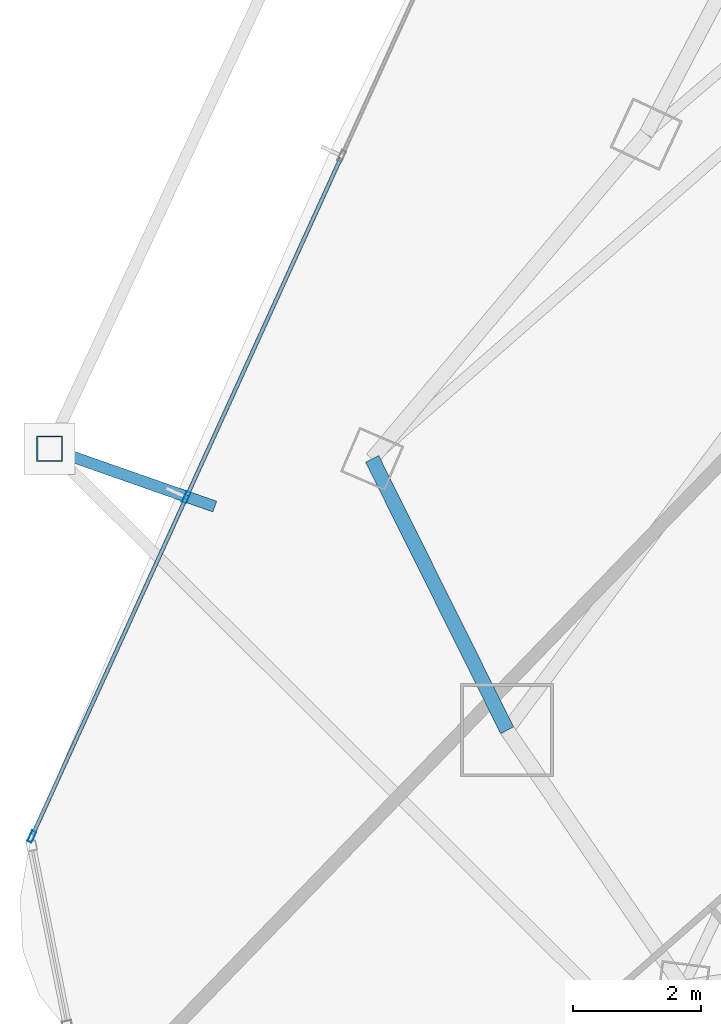
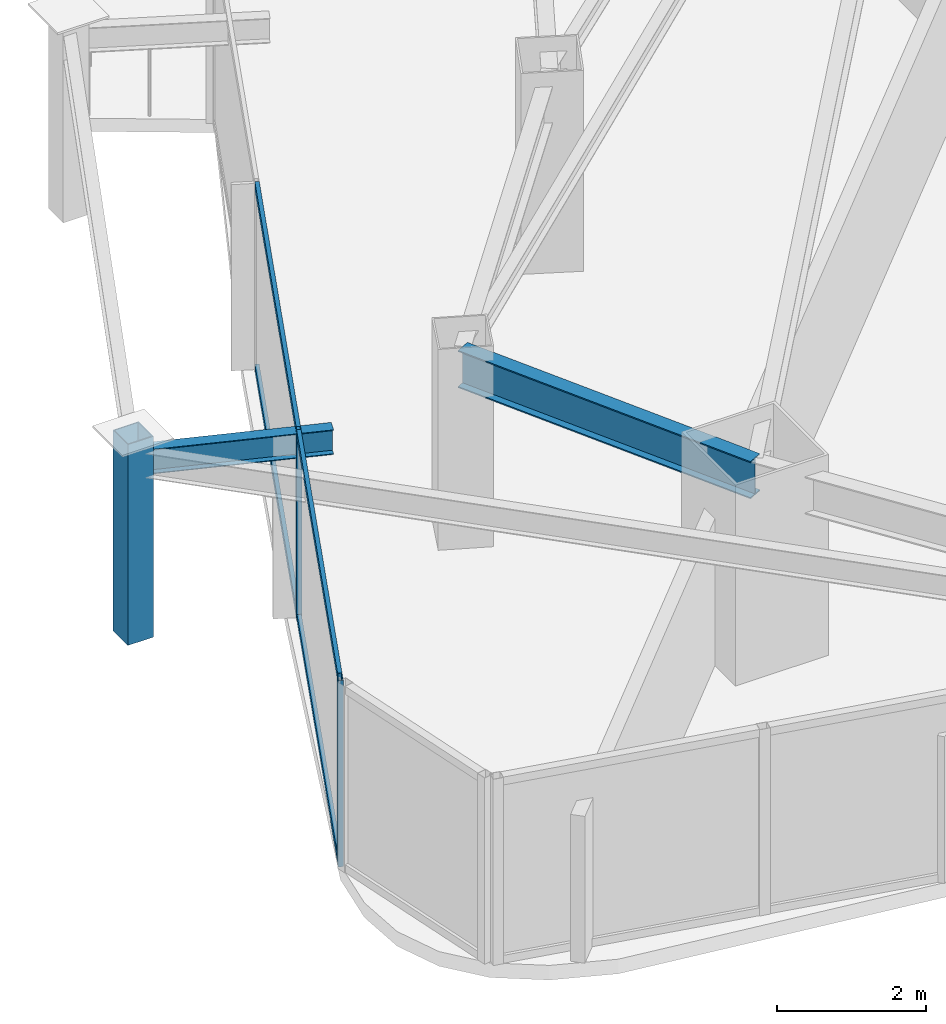
# One storey, part 5 of 31: 7 members, 2 beams, 1 element without a shape of its own.
"""IFC4 building model written with IfcOpenShell, lengths in metres."""

from ifc_helpers import new_model, si_unit, direction, frame, origin, origin_2d, place, context, subcontext, project, spatial, hollow_rectangle, i_section, extrude, material, layer, layer_set, material_profile, profile_set, type_object, element, aggregate, save


model = new_model("IFC4")

# Units and contexts
model_context = context("Model", 3, precision=1e-05, world=origin(), true_north=direction((0.0, 1.0)))
body_context = subcontext(model_context, "Body", "Model", "MODEL_VIEW")
ifc_project = project(units=[si_unit("LENGTHUNIT", "METRE"), si_unit("AREAUNIT", "SQUARE_METRE"), si_unit("VOLUMEUNIT", "CUBIC_METRE"), si_unit("PLANEANGLEUNIT", "RADIAN"), si_unit("MASSUNIT", "GRAM", prefix="KILO")], contexts=[model_context])

# Site, building, storey
site_placement = place(None, origin())
site = spatial("IfcSite", under=ifc_project, at=site_placement, CompositionType="ELEMENT")
building_placement = place(site_placement, origin())
building = spatial("IfcBuilding", under=site, at=building_placement, Name="Orvanel Arch Residences", CompositionType="ELEMENT")
storey_placement = place(building_placement, frame((0.0, 0.0, 113.300048828125)))
storey = spatial("IfcBuildingStorey", under=building, at=storey_placement, Name="L31", CompositionType="ELEMENT", Elevation=113.300048828125)

# Curtain wall, members
ifc_material_1 = material(Name="Bronze-anodised aluminium AA6063-T6", Category="aluminium")
ifc_layer = layer(ifc_material_1, 0.179931640625)
ifc_layer_set = layer_set([ifc_layer], Name="Bronze-anodised aluminium AA6063-T6")
curtain_wall_type = type_object("IfcCurtainWallType", Name="CW3-MID-SYS", PredefinedType="NOTDEFINED", material=ifc_layer_set)
curtain_wall_placement = place(storey_placement, origin())
curtain_wall = element("IfcCurtainWall", 1, at=curtain_wall_placement, inside=storey, type_object=curtain_wall_type, Name="L31 CW3-MID-SYS Unitised Curtain Wall", PredefinedType="NOTDEFINED")
ifc_material_profile_1 = material_profile(ifc_material_1, hollow_rectangle(XDim=0.070068359375, YDim=0.179931640625, WallThickness=0.00439453125, at=origin_2d()), Name="ALU180x70x4.5")
ifc_profile_set_1 = profile_set([ifc_material_profile_1], Name="Bronze-anodised aluminium AA6063-T6")
member_type_1 = type_object("IfcMemberType", Name="MUL-180x70", PredefinedType="MULLION", material=ifc_profile_set_1)
member_1_placement = place(storey_placement, frame((9.1982421875, 13.981689453125, 0.0), z_axis=(0.0, 0.0, 1.0), x_axis=(0.910112556864, -0.414361115258, 0.0)))
member_1 = element("IfcMember", 2, at=member_1_placement, type_object=member_type_1, Name="CW-S3 mullion 3", PredefinedType="MULLION", context=body_context, shape_type="SweptSolid", body=[
    extrude(hollow_rectangle(XDim=0.070068359375, YDim=0.179931640625, WallThickness=0.00439453125, at=origin_2d()), origin(), (0.0, 0.0, 1.0), 3.06005859375),
])
member_2_placement = place(storey_placement, frame((6.78955078125, 8.69091796875, 0.0), z_axis=(0.0, 0.0, 1.0), x_axis=(0.910112556864, -0.414361115258, 0.0)))
member_2 = element("IfcMember", 3, at=member_2_placement, type_object=member_type_1, Name="CW-S3 mullion 4", PredefinedType="MULLION", context=body_context, shape_type="SweptSolid", body=[
    extrude(hollow_rectangle(XDim=0.070068359375, YDim=0.179931640625, WallThickness=0.00439453125, at=origin_2d()), origin(), (0.0, 0.0, 1.0), 3.06005859375),
])

# Beams
ifc_material_2 = material(Name="Structural steel AS/NZS 3679.1 Grade 300 (300 MPa)", Category="steel")
ifc_material_profile_2 = material_profile(ifc_material_2, i_section(OverallWidth=0.177978515625, OverallDepth=0.406005859375, WebThickness=0.0078125, FlangeThickness=0.0126953125, at=origin_2d()), Name="410UB59.7")
ifc_profile_set_2 = profile_set([ifc_material_profile_2], Name="Structural steel AS/NZS 3679.1 Grade 300 (300 MPa)")
beam_type_1 = type_object("IfcBeamType", Name="OB-410UB-EXT", PredefinedType="SPANDREL", material=ifc_profile_set_2)
beam_1_placement = place(storey_placement, frame((9.64208984375, 13.8369140625, 2.85693359375), z_axis=(-0.943808145535, 0.330493849294, 0.0), x_axis=(-0.330493849294, -0.943808145535, 0.0)))
element("IfcBeam", 4, at=beam_1_placement, inside=storey, type_object=beam_type_1, Name="L31 Outer Frame Radial Tie Beam 04", PredefinedType="SPANDREL", context=body_context, shape_type="SweptSolid", body=[
    extrude(i_section(OverallWidth=0.177978515625, OverallDepth=0.406005859375, WebThickness=0.0078125, FlangeThickness=0.0126953125, at=origin_2d()), origin(), (0.0, 0.0, 1.0), 2.7294921875),
])
ifc_material_profile_3 = material_profile(ifc_material_2, i_section(OverallWidth=0.22900390625, OverallDepth=0.612060546875, WebThickness=0.011962890625, FlangeThickness=0.01953125, at=origin_2d()), Name="610UB125")
ifc_profile_set_3 = profile_set([ifc_material_profile_3], Name="Structural steel AS/NZS 3679.1 Grade 300 (300 MPa)")
beam_type_2 = type_object("IfcBeamType", Name="SP-610UB", PredefinedType="SPANDREL", material=ifc_profile_set_3)
beam_2_placement = place(storey_placement, frame((12.094970703125, 14.580078125, 2.75390625), z_axis=(0.44543469453, -0.895314432425, 0.0), x_axis=(0.895314432425, 0.44543469453, 0.0)))
element("IfcBeam", 5, at=beam_2_placement, inside=storey, type_object=beam_type_2, Name="L31 Perimeter Spandrel Beam 02", PredefinedType="SPANDREL", context=body_context, shape_type="SweptSolid", body=[
    extrude(i_section(OverallWidth=0.22900390625, OverallDepth=0.612060546875, WebThickness=0.011962890625, FlangeThickness=0.01953125, at=origin_2d()), origin(), (0.0, 0.0, 1.0), 4.723388671875),
])

# Member
ifc_material_3 = material(Name="Structural steel AS/NZS 1163 C450L0 (Grade 450)", Category="steel")
ifc_material_profile_4 = material_profile(ifc_material_3, hollow_rectangle(XDim=0.39990234375, YDim=0.39990234375, WallThickness=0.01611328125, at=origin_2d()), Name="SHS400x400x16")
ifc_profile_set_4 = profile_set([ifc_material_profile_4], Name="Structural steel AS/NZS 1163 C450L0 (Grade 450)")
member_type_2 = type_object("IfcMemberType", Name="ST-400SHS-EXT", PredefinedType="STRUT", material=ifc_profile_set_4)
member_3_placement = place(storey_placement, frame((7.06591796875, 14.739013671875, 0.0), z_axis=(0.0, 0.0, 1.0), x_axis=(1.0, 0.0, 0.0)))
element("IfcMember", 6, at=member_3_placement, inside=storey, type_object=member_type_2, Name="L31 Outer Perimeter Frame Post 04", PredefinedType="STRUT", context=body_context, shape_type="SweptSolid", body=[
    extrude(hollow_rectangle(XDim=0.39990234375, YDim=0.39990234375, WallThickness=0.01611328125, at=origin_2d()), origin(), (0.0, 0.0, 1.0), 3.300048828125),
])

ifc_material_profile_5 = material_profile(ifc_material_1, hollow_rectangle(XDim=0.06005859375, YDim=0.135009765625, WallThickness=0.00390625, at=origin_2d()), Name="ALU135x60x4")
ifc_profile_set_5 = profile_set([ifc_material_profile_5], Name="Bronze-anodised aluminium AA6063-T6")
member_type_3 = type_object("IfcMemberType", Name="TRN-135x60", PredefinedType="USERDEFINED", material=ifc_profile_set_5)
member_4_placement = place(storey_placement, frame((11.607177734375, 19.2724609375, 0.030029296875), z_axis=(-0.414350389291, -0.910117440166, 0.0), x_axis=(0.910117440166, -0.414350389291, 0.0)))
member_4 = element("IfcMember", 7, at=member_4_placement, type_object=member_type_3, Name="CW-S3 transom 2.1", ObjectType="TRANSOM", PredefinedType="USERDEFINED", context=body_context, shape_type="SweptSolid", body=[
    extrude(hollow_rectangle(XDim=0.06005859375, YDim=0.135009765625, WallThickness=0.00390625, at=origin_2d()), origin(), (0.0, 0.0, 1.0), 5.7783203125),
])

member_5_placement = place(storey_placement, frame((11.607177734375, 19.2724609375, 3.030029296875), z_axis=(-0.414350389291, -0.910117440166, 0.0), x_axis=(0.910117440166, -0.414350389291, 0.0)))
member_5 = element("IfcMember", 8, at=member_5_placement, type_object=member_type_3, Name="CW-S3 transom 2.2", ObjectType="TRANSOM", PredefinedType="USERDEFINED", context=body_context, shape_type="SweptSolid", body=[
    extrude(hollow_rectangle(XDim=0.06005859375, YDim=0.135009765625, WallThickness=0.00390625, at=origin_2d()), origin(), (0.0, 0.0, 1.0), 5.7783203125),
])

member_6_placement = place(storey_placement, frame((9.183837890625, 13.94970703125, 0.030029296875), z_axis=(-0.414372943031, -0.910107171757, 0.0), x_axis=(0.910107171757, -0.414372943031, 0.0)))
member_6 = element("IfcMember", 9, at=member_6_placement, type_object=member_type_3, Name="CW-S3 transom 3.1", ObjectType="TRANSOM", PredefinedType="USERDEFINED", context=body_context, shape_type="SweptSolid", body=[
    extrude(hollow_rectangle(XDim=0.06005859375, YDim=0.135009765625, WallThickness=0.00390625, at=origin_2d()), origin(), (0.0, 0.0, 1.0), 5.743408203125),
])

member_7_placement = place(storey_placement, frame((9.183837890625, 13.94970703125, 3.030029296875), z_axis=(-0.414372943031, -0.910107171757, 0.0), x_axis=(0.910107171757, -0.414372943031, 0.0)))
member_7 = element("IfcMember", 10, at=member_7_placement, type_object=member_type_3, Name="CW-S3 transom 3.2", ObjectType="TRANSOM", PredefinedType="USERDEFINED", context=body_context, shape_type="SweptSolid", body=[
    extrude(hollow_rectangle(XDim=0.06005859375, YDim=0.135009765625, WallThickness=0.00390625, at=origin_2d()), origin(), (0.0, 0.0, 1.0), 5.743408203125),
])

aggregate(curtain_wall, [member_1, member_2, member_4, member_5, member_6, member_7])

save(model, "model.ifc")
